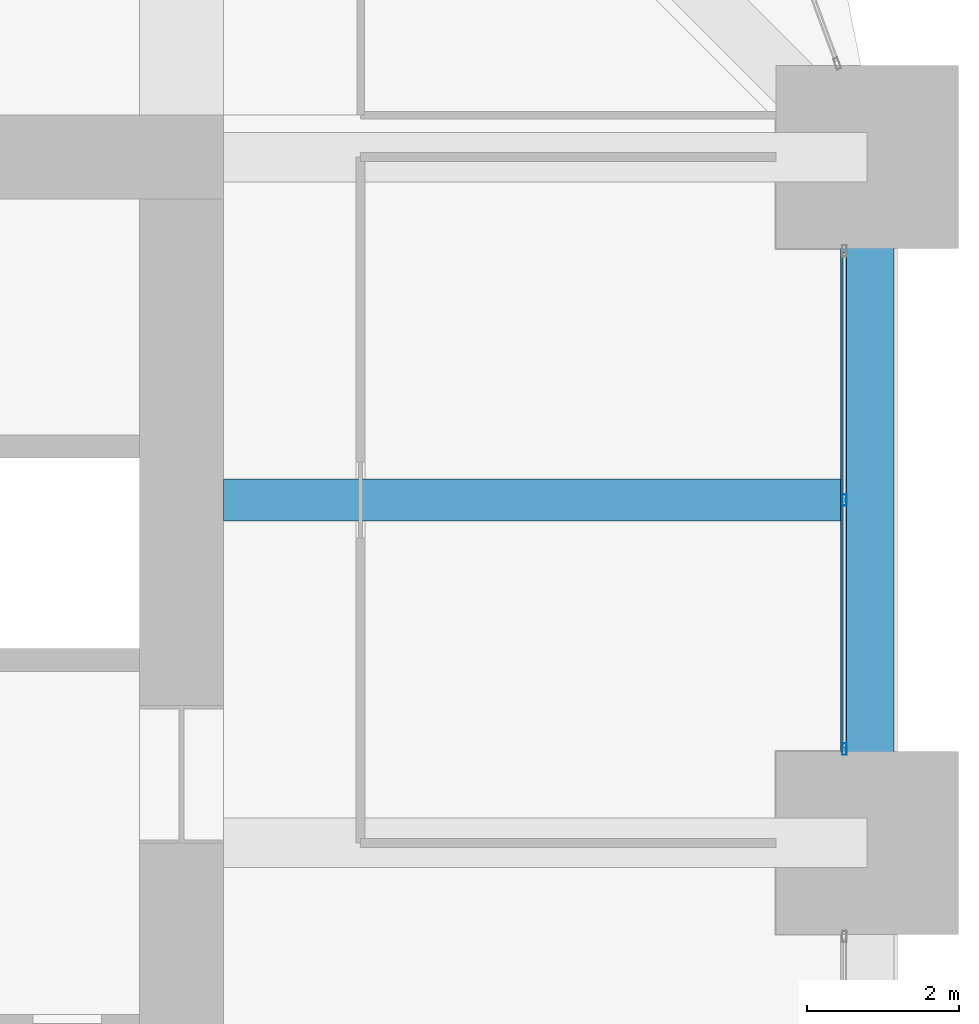
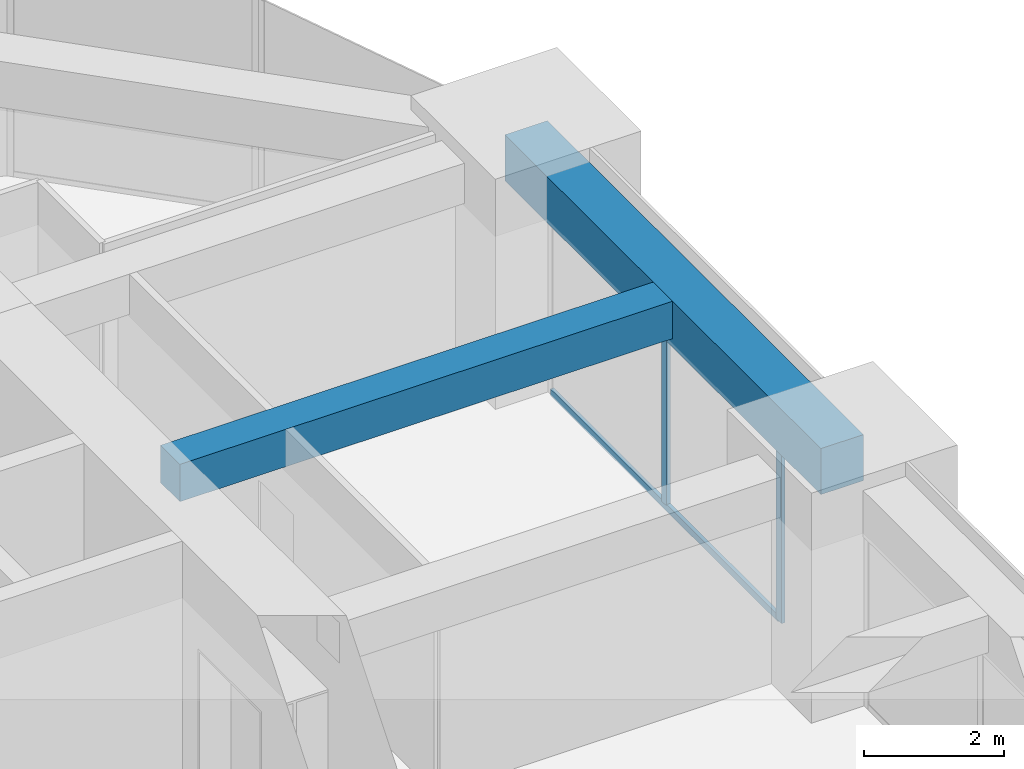
# One storey, part 19 of 32: 3 members, 2 beams, 1 element without a shape of its own.
"""IFC4 building model written with IfcOpenShell, lengths in metres."""

from ifc_helpers import new_model, si_unit, direction, frame, origin, origin_2d, place, context, subcontext, project, spatial, rectangle, hollow_rectangle, extrude, material, material_profile, profile_set, type_object, element, aggregate, save


model = new_model("IFC4")

# Units and contexts
model_context = context("Model", 3, precision=1e-05, world=origin(), true_north=direction((0.0, 1.0)))
body_context = subcontext(model_context, "Body", "Model", "MODEL_VIEW")
ifc_project = project(units=[si_unit("LENGTHUNIT", "METRE"), si_unit("AREAUNIT", "SQUARE_METRE"), si_unit("VOLUMEUNIT", "CUBIC_METRE"), si_unit("PLANEANGLEUNIT", "RADIAN"), si_unit("MASSUNIT", "GRAM", prefix="KILO")], contexts=[model_context])

# Site, building, storey
site_placement = place(None, origin())
site = spatial("IfcSite", under=ifc_project, at=site_placement, CompositionType="ELEMENT")
building_placement = place(site_placement, origin())
building = spatial("IfcBuilding", under=site, at=building_placement, Name="Zorevar Civic Tower", CompositionType="ELEMENT")
storey_placement = place(building_placement, frame((0.0, 0.0, 198.199951171875)))
storey = spatial("IfcBuildingStorey", under=building, at=storey_placement, Name="L48", CompositionType="ELEMENT", Elevation=198.199951171875)

# Beam
ifc_material_1 = material(Name="Concrete C50/60", Category="concrete")
ifc_material_profile_1 = material_profile(ifc_material_1, rectangle(XDim=0.550048828125, YDim=0.64990234375, at=origin_2d()), Name="RC 550x650")
ifc_profile_set_1 = profile_set([ifc_material_profile_1], Name="Concrete C50/60")
beam_type_1 = type_object("IfcBeamType", Name="Beam RC 550x650", PredefinedType="BEAM", material=ifc_profile_set_1)
beam_1_placement = place(storey_placement, frame((45.550048828125, 31.5, 3.425048828125), z_axis=(1.0, 0.0, 0.0), x_axis=(0.0, 1.0, 0.0)))
element("IfcBeam", 1, at=beam_1_placement, inside=storey, type_object=beam_type_1, Name="Secondary beam L49", PredefinedType="BEAM", context=body_context, shape_type="SweptSolid", body=[
    extrude(rectangle(XDim=0.550048828125, YDim=0.64990234375, at=origin_2d()), origin(), (0.0, 0.0, 1.0), 8.099853515625),
])

# Curtain wall, members
ifc_material_2 = material(Name="Dark grey solar-control glass in black aluminium frame", Category="aluminium")
curtain_wall_type = type_object("IfcCurtainWallType", Name="Curtain wall CW4 high zone", PredefinedType="NOTDEFINED", material=ifc_material_2)
curtain_wall_placement = place(storey_placement, origin())
curtain_wall = element("IfcCurtainWall", 2, at=curtain_wall_placement, inside=storey, type_object=curtain_wall_type, Name="CW4 L48", PredefinedType="NOTDEFINED")
ifc_material_3 = material(Name="Aluminium, black anodised", Category="aluminium")
ifc_material_profile_2 = material_profile(ifc_material_3, hollow_rectangle(XDim=0.06005859375, YDim=0.14990234375, WallThickness=0.00390625, at=origin_2d()), Name="AL 150x60x4")
ifc_profile_set_2 = profile_set([ifc_material_profile_2], Name="Aluminium, black anodised")
member_type_1 = type_object("IfcMemberType", Name="CW4 mullion AL 150x60x4", PredefinedType="MULLION", material=ifc_profile_set_2)
member_1_placement = place(storey_placement, frame((53.699951171875, 28.22998046875, 0.0), z_axis=(0.0, 0.0, 1.0), x_axis=(-1.0, 0.0, 0.0)))
member_1 = element("IfcMember", 3, at=member_1_placement, type_object=member_type_1, Name="CW4 mullion 1", PredefinedType="MULLION", context=body_context, shape_type="SweptSolid", body=[
    extrude(hollow_rectangle(XDim=0.06005859375, YDim=0.14990234375, WallThickness=0.00390625, at=origin_2d()), origin(), (0.0, 0.0, 1.0), 2.949951171875),
])
member_2_placement = place(storey_placement, frame((53.699951171875, 31.5, 0.06005859375), z_axis=(0.0, 0.0, 1.0), x_axis=(-1.0, 0.0, 0.0)))
member_2 = element("IfcMember", 4, at=member_2_placement, type_object=member_type_1, Name="CW4 mullion 2", PredefinedType="MULLION", context=body_context, shape_type="SweptSolid", body=[
    extrude(hollow_rectangle(XDim=0.06005859375, YDim=0.14990234375, WallThickness=0.00390625, at=origin_2d()), origin(), (0.0, 0.0, 1.0), 2.889892578125),
])
ifc_material_4 = material(Name="Aluminium, black anodised", Category="aluminium")
ifc_material_profile_3 = material_profile(ifc_material_4, hollow_rectangle(XDim=0.06005859375, YDim=0.1201171875, WallThickness=0.0029296875, at=origin_2d()), Name="AL 120x60x3")
ifc_profile_set_3 = profile_set([ifc_material_profile_3], Name="Aluminium, black anodised")
member_type_2 = type_object("IfcMemberType", Name="CW4 transom AL 120x60x3", PredefinedType="USERDEFINED", material=ifc_profile_set_3)
member_3_placement = place(storey_placement, frame((53.699951171875, 28.260009765625, 0.030029296875), z_axis=(0.0, 1.0, 0.0), x_axis=(-1.0, 0.0, 0.0)))
member_3 = element("IfcMember", 5, at=member_3_placement, type_object=member_type_2, Name="CW4 sill transom", ObjectType="TRANSOM", PredefinedType="USERDEFINED", context=body_context, shape_type="SweptSolid", body=[
    extrude(hollow_rectangle(XDim=0.06005859375, YDim=0.1201171875, WallThickness=0.0029296875, at=origin_2d()), origin(), (0.0, 0.0, 1.0), 6.47998046875),
])
aggregate(curtain_wall, [member_1, member_2, member_3])

# Beam
ifc_material_5 = material(Name="Concrete C50/60", Category="concrete")
ifc_material_profile_4 = material_profile(ifc_material_5, rectangle(XDim=0.699951171875, YDim=0.800048828125, at=origin_2d()), Name="RC 700x800")
ifc_profile_set_4 = profile_set([ifc_material_profile_4], Name="Concrete C50/60")
beam_type_2 = type_object("IfcBeamType", Name="Edge beam RC 700x800", PredefinedType="SPANDREL", material=ifc_profile_set_4)
beam_2_placement = place(storey_placement, frame((54.0, 27.0, 3.35009765625), z_axis=(0.0, 1.0, 0.0), x_axis=(-1.0, 0.0, 0.0)))
element("IfcBeam", 6, at=beam_2_placement, inside=storey, type_object=beam_type_2, Name="Edge beam L49", PredefinedType="SPANDREL", context=body_context, shape_type="SweptSolid", body=[
    extrude(rectangle(XDim=0.699951171875, YDim=0.800048828125, at=origin_2d()), origin(), (0.0, 0.0, 1.0), 9.0),
])

save(model, "model.ifc")
